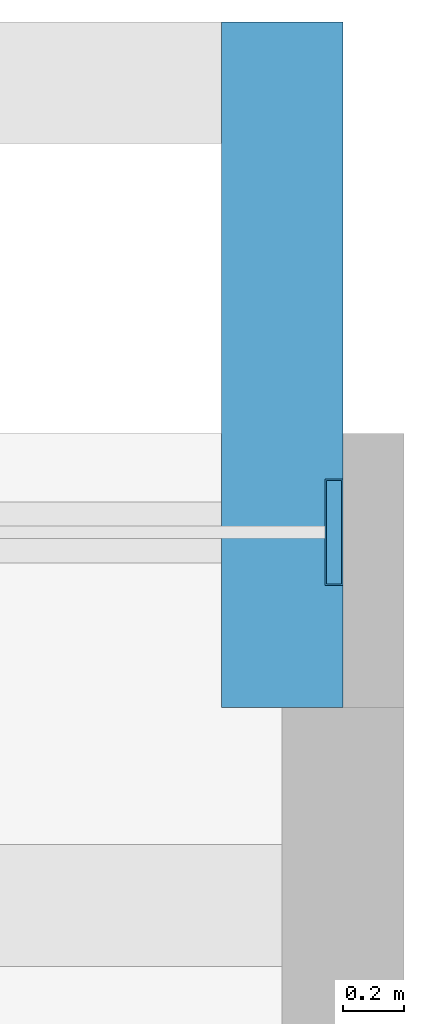
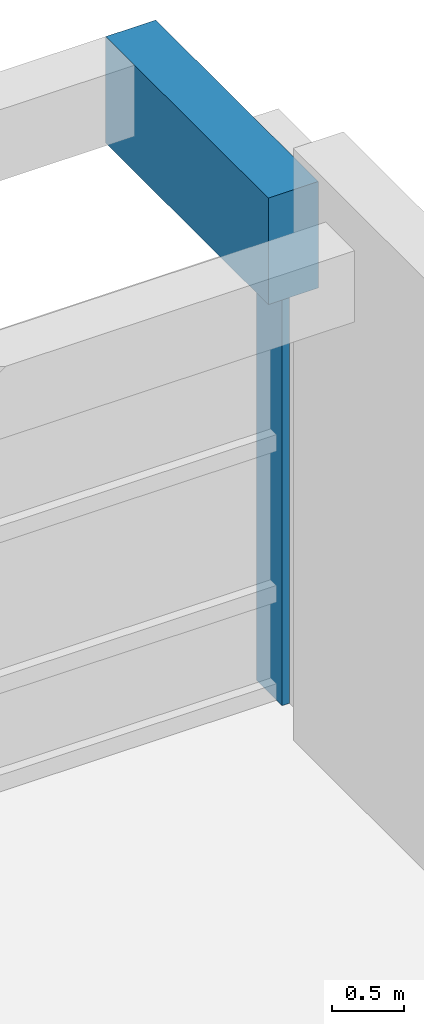
# One storey, part 6 of 31: 1 beam, 1 member, 1 element without a shape of its own.
"""IFC4 building model written with IfcOpenShell, lengths in metres."""

from ifc_helpers import new_model, si_unit, direction, frame, origin, origin_2d, place, context, subcontext, project, spatial, rectangle, hollow_rectangle, extrude, material, layer, layer_set, material_profile, profile_set, type_object, element, aggregate, save


model = new_model("IFC4")

# Units and contexts
model_context = context("Model", 3, precision=1e-05, world=origin(), true_north=direction((0.0, 1.0)))
body_context = subcontext(model_context, "Body", "Model", "MODEL_VIEW")
ifc_project = project(units=[si_unit("LENGTHUNIT", "METRE"), si_unit("AREAUNIT", "SQUARE_METRE"), si_unit("VOLUMEUNIT", "CUBIC_METRE"), si_unit("PLANEANGLEUNIT", "RADIAN"), si_unit("MASSUNIT", "GRAM", prefix="KILO")], contexts=[model_context])

# Site, building, storey
site_placement = place(None, origin())
site = spatial("IfcSite", under=ifc_project, at=site_placement, CompositionType="ELEMENT")
building_placement = place(site_placement, origin())
building = spatial("IfcBuilding", under=site, at=building_placement, Name="Nzadi Deep Aquarium and Research Tower", CompositionType="ELEMENT")
storey_placement = place(building_placement, frame((0.0, 0.0, 21.699951171875)))
storey = spatial("IfcBuildingStorey", under=building, at=storey_placement, Name="L03", CompositionType="ELEMENT", Elevation=21.699951171875)

# Curtain wall, member
ifc_material_1 = material(Name="Aluminium unitised frame tall span", Category="aluminium")
ifc_layer = layer(ifc_material_1, 0.35009765625)
ifc_layer_set = layer_set([ifc_layer], Name="Aluminium unitised frame tall span")
curtain_wall_type = type_object("IfcCurtainWallType", Name="Curtain wall Podium 350", PredefinedType="NOTDEFINED", material=ifc_layer_set)
curtain_wall_placement = place(storey_placement, origin())
curtain_wall = element("IfcCurtainWall", 1, at=curtain_wall_placement, inside=storey, type_object=curtain_wall_type, Name="North cascade curtain wall L03", PredefinedType="NOTDEFINED")
ifc_material_2 = material(Name="Aluminium unitised frame tall span", Category="aluminium")
ifc_material_profile_1 = material_profile(ifc_material_2, hollow_rectangle(XDim=0.35009765625, YDim=0.06005859375, WallThickness=0.0048828125, at=origin_2d()))
ifc_profile_set_1 = profile_set([ifc_material_profile_1], Name="Aluminium unitised frame tall span")
member_type = type_object("IfcMemberType", Name="Mullion 60x350 Podium", PredefinedType="MULLION", material=ifc_profile_set_1)
member_placement = place(storey_placement, frame((57.570068359375, 141.574951171875, 0.0), z_axis=(0.0, 0.0, 1.0), x_axis=(0.0, 1.0, 0.0)))
member = element("IfcMember", 2, at=member_placement, type_object=member_type, Name="CW255 mullion 19", PredefinedType="MULLION", context=body_context, shape_type="SweptSolid", body=[
    extrude(hollow_rectangle(XDim=0.35009765625, YDim=0.06005859375, WallThickness=0.0048828125, at=origin_2d()), origin(), (0.0, 0.0, 1.0), 3.75),
])
aggregate(curtain_wall, [member])

# Beam
ifc_material_3 = material(Name="Concrete C35/45", Category="concrete")
ifc_material_profile_2 = material_profile(ifc_material_3, rectangle(XDim=0.39990234375, YDim=0.89990234375, at=origin_2d()))
ifc_profile_set_2 = profile_set([ifc_material_profile_2], Name="Concrete C35/45")
beam_type = type_object("IfcBeamType", Name="RC 400x900", PredefinedType="BEAM", material=ifc_profile_set_2)
beam_placement = place(storey_placement, frame((57.39990234375, 141.0, 4.199951171875), z_axis=(0.0, 1.0, 0.0), x_axis=(-1.0, 0.0, 0.0)))
element("IfcBeam", 3, at=beam_placement, inside=storey, type_object=beam_type, Name="B-Z3-L04-CB7", PredefinedType="BEAM", context=body_context, shape_type="SweptSolid", body=[
    extrude(rectangle(XDim=0.39990234375, YDim=0.89990234375, at=origin_2d()), origin(), (0.0, 0.0, 1.0), 2.25),
])

save(model, "model.ifc")
